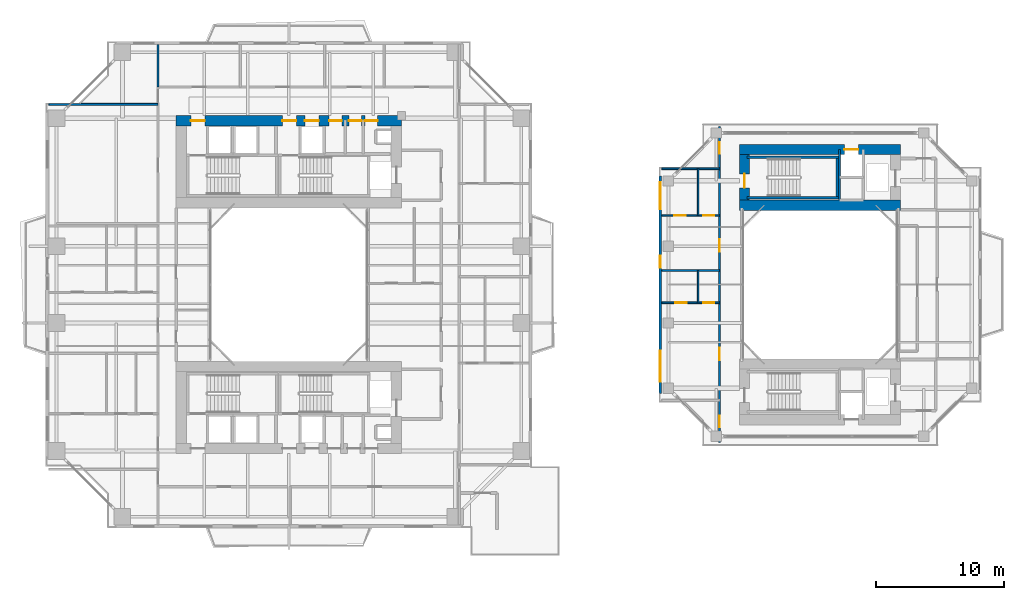
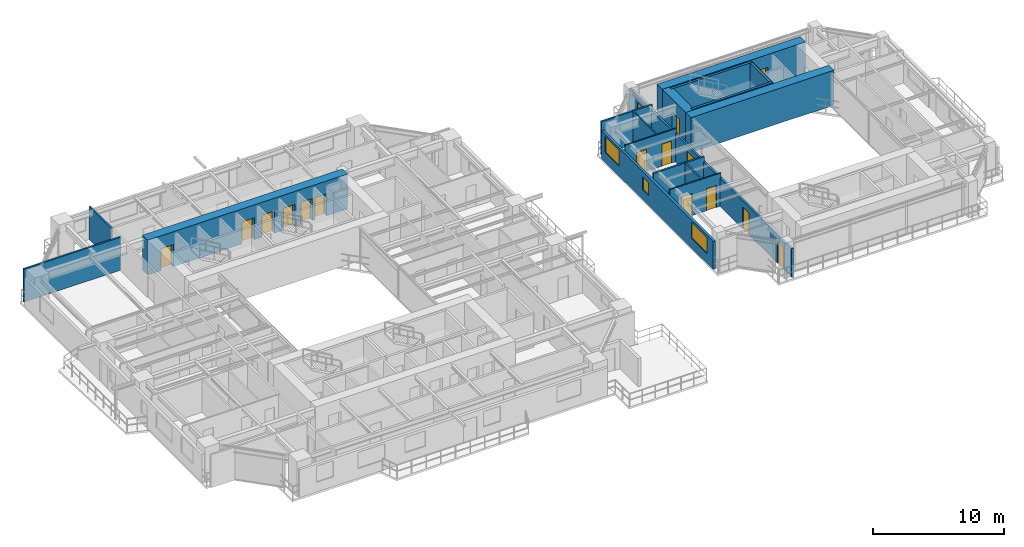
# One storey, part 17 of 23: 18 walls, 16 doors, 3 windows, 19 openings.
"""IFC4 building model written with IfcOpenShell, lengths in metres."""

from ifc_helpers import new_model, si_unit, direction, frame, frame_2d, origin, place, context, subcontext, project, spatial, rectangle, extrude, source, transform, mapped, material, layer, layer_set, type_object, element, fill, save


model = new_model("IFC4")

# Units and contexts
model_context = context("Model", 3, precision=1e-05, world=origin(), true_north=direction((0.0, 1.0)))
body_context = subcontext(model_context, "Body", "Model", "MODEL_VIEW")
ifc_project = project(units=[si_unit("LENGTHUNIT", "METRE"), si_unit("AREAUNIT", "SQUARE_METRE"), si_unit("VOLUMEUNIT", "CUBIC_METRE"), si_unit("PLANEANGLEUNIT", "RADIAN"), si_unit("MASSUNIT", "GRAM", prefix="KILO"), si_unit("THERMODYNAMICTEMPERATUREUNIT", "KELVIN"), si_unit("POWERUNIT", "WATT")], contexts=[model_context])

# Site, building, storey
site_placement = place(None, origin())
site = spatial("IfcSite", under=ifc_project, at=site_placement, CompositionType="ELEMENT")
building_placement = place(site_placement, origin())
building = spatial("IfcBuilding", under=site, at=building_placement, Name="Qiaomeng Ring Towers", CompositionType="ELEMENT")
storey_placement = place(building_placement, frame((0.0, 0.0, 73.0)))
storey = spatial("IfcBuildingStorey", under=building, at=storey_placement, Name="L20", CompositionType="ELEMENT", Elevation=73.0)

# Wall, openings, windows
ifc_material_1 = material(Name="Precast concrete C40", Category="concrete")
ifc_layer_1 = layer(ifc_material_1, 0.219970703125, Name="Precast concrete C40")
ifc_layer_set_1 = layer_set([ifc_layer_1], Name="Precast concrete C40")
wall_type_1 = type_object("IfcWallType", Name="ARC-WL-EW2", PredefinedType="STANDARD", material=ifc_layer_set_1)
wall_1_placement = place(storey_placement, frame((48.010009765625, 14.5, 0.0), z_axis=(0.0, 0.0, 1.0), x_axis=(0.0, 1.0, 0.0)))
wall_1 = element("IfcWall", 1, at=wall_1_placement, inside=storey, type_object=wall_type_1, Name="L20 Companion West Wall", PredefinedType="STANDARD", context=body_context, shape_type="SweptSolid", body=[
    extrude(rectangle(XDim=17.0, YDim=0.219970703125, at=frame_2d((8.5, 0.0))), origin(), (0.0, 0.0, 1.0), 2.610107421875),
])
opening_1_placement = place(wall_1_placement, frame((0.925048828125, 0.0, 0.89990234375)))
opening_1 = element("IfcOpeningElement", 2, at=opening_1_placement, cuts=wall_1, Name="Opening WN6", PredefinedType="OPENING", context=body_context, shape_type="SweptSolid", body=[
    extrude(rectangle(XDim=2.39990234375, YDim=1.47998046875, at=frame_2d((1.199951171875, 0.739990234375))), frame((0.0, 0.119873046875, 0.0), z_axis=(0.0, -1.0, 0.0), x_axis=(1.0, 0.0, 0.0)), (0.0, 0.0, 1.0), 0.239990234375),
])
opening_2_placement = place(wall_1_placement, frame((14.3798828125, 0.0, 0.89990234375)))
opening_2 = element("IfcOpeningElement", 3, at=opening_2_placement, cuts=wall_1, Name="Opening WN4", PredefinedType="OPENING", context=body_context, shape_type="SweptSolid", body=[
    extrude(rectangle(XDim=2.10009765625, YDim=1.5, at=frame_2d((1.050048828125, 0.75))), frame((0.0, 0.119873046875, 0.0), z_axis=(0.0, -1.0, 0.0), x_axis=(1.0, 0.0, 0.0)), (0.0, 0.0, 1.0), 0.239990234375),
])
opening_3_placement = place(wall_1_placement, frame((9.8349609375, 0.0, 0.89990234375)))
opening_3 = element("IfcOpeningElement", 4, at=opening_3_placement, cuts=wall_1, Name="Opening WN5", PredefinedType="OPENING", context=body_context, shape_type="SweptSolid", body=[
    extrude(rectangle(XDim=0.89990234375, YDim=1.199951171875, at=frame_2d((0.449951171875, 0.60009765625))), frame((0.0, 0.119873046875, 0.0), z_axis=(0.0, -1.0, 0.0), x_axis=(1.0, 0.0, 0.0)), (0.0, 0.0, 1.0), 0.239990234375),
])
ifc_material_2 = material(Name="Low-E dark-grey laminated double glazing", Category="glass")
window_type_1 = type_object("IfcWindowType", Name="ARC-WN-4", PartitioningType="TRIPLE_PANEL_VERTICAL", PredefinedType="WINDOW", material=ifc_material_2)
shared_shape_1 = source(origin(), body_context, "Body", "SweptSolid", [
    extrude(rectangle(XDim=2.10009765625, YDim=1.5, at=frame_2d((1.050048828125, 0.75))), frame((0.0, 0.030029296875, 0.0), z_axis=(0.0, -1.0, 0.0), x_axis=(1.0, 0.0, 0.0)), (0.0, 0.0, 1.0), 0.06005859375),
])
window_1_placement = place(opening_2_placement, origin())
window_1 = element("IfcWindow", 5, at=window_1_placement, inside=storey, type_object=window_type_1, Name="L20 Exterior Window WN4", OverallHeight=1.5, OverallWidth=2.10009765625, PartitioningType="TRIPLE_PANEL_VERTICAL", PredefinedType="WINDOW", context=body_context, shape_type="MappedRepresentation", body=[
    mapped(shared_shape_1, transform((0.0, 0.0, 0.0), x_axis=(1.0, 0.0, 0.0), y_axis=(0.0, 1.0, 0.0), z_axis=(0.0, 0.0, 1.0), scale=1.0)),
])
fill(opening_2, window_1)
window_type_2 = type_object("IfcWindowType", Name="ARC-WN-6", PartitioningType="TRIPLE_PANEL_VERTICAL", PredefinedType="WINDOW", material=ifc_material_2)
shared_shape_2 = source(origin(), body_context, "Body", "SweptSolid", [
    extrude(rectangle(XDim=2.39990234375, YDim=1.47998046875, at=frame_2d((1.199951171875, 0.739990234375))), frame((0.0, 0.030029296875, 0.0), z_axis=(0.0, -1.0, 0.0), x_axis=(1.0, 0.0, 0.0)), (0.0, 0.0, 1.0), 0.06005859375),
])
window_2_placement = place(opening_1_placement, origin())
window_2 = element("IfcWindow", 6, at=window_2_placement, inside=storey, type_object=window_type_2, Name="L20 Exterior Window WN6", OverallHeight=1.47998046875, OverallWidth=2.39990234375, PartitioningType="TRIPLE_PANEL_VERTICAL", PredefinedType="WINDOW", context=body_context, shape_type="MappedRepresentation", body=[
    mapped(shared_shape_2, transform((0.0, 0.0, 0.0), x_axis=(1.0, 0.0, 0.0), y_axis=(0.0, 1.0, 0.0), z_axis=(0.0, 0.0, 1.0), scale=1.0)),
])
fill(opening_1, window_2)
window_type_3 = type_object("IfcWindowType", Name="ARC-WN-5", PartitioningType="SINGLE_PANEL", PredefinedType="WINDOW", material=ifc_material_2)
shared_shape_3 = source(origin(), body_context, "Body", "SweptSolid", [
    extrude(rectangle(XDim=0.89990234375, YDim=1.199951171875, at=frame_2d((0.449951171875, 0.60009765625))), frame((0.0, 0.030029296875, 0.0), z_axis=(0.0, -1.0, 0.0), x_axis=(1.0, 0.0, 0.0)), (0.0, 0.0, 1.0), 0.06005859375),
])
window_3_placement = place(opening_3_placement, origin())
window_3 = element("IfcWindow", 7, at=window_3_placement, inside=storey, type_object=window_type_3, Name="L20 Exterior Window WN5", OverallHeight=1.199951171875, OverallWidth=0.89990234375, PartitioningType="SINGLE_PANEL", PredefinedType="WINDOW", context=body_context, shape_type="MappedRepresentation", body=[
    mapped(shared_shape_3, transform((0.0, 0.0, 0.0), x_axis=(1.0, 0.0, 0.0), y_axis=(0.0, 1.0, 0.0), z_axis=(0.0, 0.0, 1.0), scale=1.0)),
])
fill(opening_3, window_3)

# Wall, openings, doors
ifc_material_3 = material(Name="Autoclaved aerated concrete block", Category="concrete")
ifc_layer_2 = layer(ifc_material_3, 0.179931640625, Name="Autoclaved aerated concrete block")
ifc_layer_set_2 = layer_set([ifc_layer_2], Name="Autoclaved aerated concrete block")
wall_type_2 = type_object("IfcWallType", Name="ARC-WL-PW2", PredefinedType="PARTITIONING", material=ifc_layer_set_2)
wall_2_placement = place(storey_placement, frame((52.64990234375, 10.64990234375, 0.0), z_axis=(0.0, 0.0, 1.0), x_axis=(0.0, 1.0, 0.0)))
wall_2 = element("IfcWall", 8, at=wall_2_placement, inside=storey, type_object=wall_type_2, Name="L20 Interior Wall PW2", PredefinedType="PARTITIONING", context=body_context, shape_type="SweptSolid", body=[
    extrude(rectangle(XDim=24.7001953125, YDim=0.179931640625, at=frame_2d((12.35009765625, 0.0))), origin(), (0.0, 0.0, 1.0), 2.614990234375),
])
opening_4_placement = place(wall_2_placement, frame((22.580078125, 0.0, 0.0)))
opening_4 = element("IfcOpeningElement", 9, at=opening_4_placement, cuts=wall_2, Name="Opening ID1", PredefinedType="OPENING", context=body_context, shape_type="SweptSolid", body=[
    extrude(rectangle(XDim=0.89990234375, YDim=2.050048828125, at=frame_2d((0.449951171875, 1.02490234375))), frame((0.0, 0.099853515625, 0.0), z_axis=(0.0, -1.0, 0.0), x_axis=(1.0, 0.0, 0.0)), (0.0, 0.0, 1.0), 0.199951171875),
])
opening_5_placement = place(wall_2_placement, frame((1.219970703125, 0.0, 0.0)))
opening_5 = element("IfcOpeningElement", 10, at=opening_5_placement, cuts=wall_2, Name="Opening ID1", PredefinedType="OPENING", context=body_context, shape_type="SweptSolid", body=[
    extrude(rectangle(XDim=0.89990234375, YDim=2.050048828125, at=frame_2d((0.449951171875, 1.02490234375))), frame((0.0, 0.099853515625, 0.0), z_axis=(0.0, -1.0, 0.0), x_axis=(1.0, 0.0, 0.0)), (0.0, 0.0, 1.0), 0.199951171875),
])
opening_6_placement = place(wall_2_placement, frame((6.425048828125, 0.0, 0.0)))
opening_6 = element("IfcOpeningElement", 11, at=opening_6_placement, cuts=wall_2, Name="Opening FD4", PredefinedType="OPENING", context=body_context, shape_type="SweptSolid", body=[
    extrude(rectangle(XDim=1.0, YDim=2.050048828125, at=frame_2d((0.5, 1.02490234375))), frame((0.0, 0.099853515625, 0.0), z_axis=(0.0, -1.0, 0.0), x_axis=(1.0, 0.0, 0.0)), (0.0, 0.0, 1.0), 0.199951171875),
])
opening_7_placement = place(wall_2_placement, frame((14.905029296875, 0.0, 0.0)))
opening_7 = element("IfcOpeningElement", 12, at=opening_7_placement, cuts=wall_2, Name="Opening FD4", PredefinedType="OPENING", context=body_context, shape_type="SweptSolid", body=[
    extrude(rectangle(XDim=1.0, YDim=2.050048828125, at=frame_2d((0.5, 1.02490234375))), frame((0.0, 0.099853515625, 0.0), z_axis=(0.0, -1.0, 0.0), x_axis=(1.0, 0.0, 0.0)), (0.0, 0.0, 1.0), 0.199951171875),
])
ifc_material_4 = material(Name="Engineered fire-rated oak timber", Category="wood")
door_type_1 = type_object("IfcDoorType", Name="ARC-DR-FD4", OperationType="NOTDEFINED", PredefinedType="DOOR", material=ifc_material_4)
shared_shape_4 = source(origin(), body_context, "Body", "SweptSolid", [
    extrude(rectangle(XDim=1.0, YDim=2.050048828125, at=frame_2d((0.5, 1.02490234375))), frame((0.0, 0.02490234375, 0.0), z_axis=(0.0, -1.0, 0.0), x_axis=(1.0, 0.0, 0.0)), (0.0, 0.0, 1.0), 0.050048828125),
])
door_1_placement = place(opening_6_placement, origin())
door_1 = element("IfcDoor", 13, at=door_1_placement, inside=storey, type_object=door_type_1, Name="L20 Door FD4", OperationType="SINGLE_SWING_LEFT", OverallHeight=2.050048828125, OverallWidth=1.0, PredefinedType="DOOR", context=body_context, shape_type="MappedRepresentation", body=[
    mapped(shared_shape_4, transform((0.0, 0.0, 0.0), x_axis=(1.0, 0.0, 0.0), y_axis=(0.0, 1.0, 0.0), z_axis=(0.0, 0.0, 1.0), scale=1.0)),
])
fill(opening_6, door_1)
door_2_placement = place(opening_7_placement, origin())
door_2 = element("IfcDoor", 14, at=door_2_placement, inside=storey, type_object=door_type_1, Name="L20 Door FD4", OperationType="SINGLE_SWING_RIGHT", OverallHeight=2.050048828125, OverallWidth=1.0, PredefinedType="DOOR", context=body_context, shape_type="MappedRepresentation", body=[
    mapped(shared_shape_4, transform((0.0, 0.0, 0.0), x_axis=(1.0, 0.0, 0.0), y_axis=(0.0, 1.0, 0.0), z_axis=(0.0, 0.0, 1.0), scale=1.0)),
])
fill(opening_7, door_2)
ifc_material_5 = material(Name="Engineered oak timber", Category="wood")
door_type_2 = type_object("IfcDoorType", Name="ARC-DR-ID1", OperationType="NOTDEFINED", PredefinedType="DOOR", material=ifc_material_5)
shared_shape_5 = source(origin(), body_context, "Body", "SweptSolid", [
    extrude(rectangle(XDim=0.89990234375, YDim=2.050048828125, at=frame_2d((0.449951171875, 1.02490234375))), frame((0.0, 0.02490234375, 0.0), z_axis=(0.0, -1.0, 0.0), x_axis=(1.0, 0.0, 0.0)), (0.0, 0.0, 1.0), 0.050048828125),
])
door_3_placement = place(opening_4_placement, origin())
door_3 = element("IfcDoor", 15, at=door_3_placement, inside=storey, type_object=door_type_2, Name="L20 Door ID1", OperationType="SINGLE_SWING_LEFT", OverallHeight=2.050048828125, OverallWidth=0.89990234375, PredefinedType="DOOR", context=body_context, shape_type="MappedRepresentation", body=[
    mapped(shared_shape_5, transform((0.0, 0.0, 0.0), x_axis=(1.0, 0.0, 0.0), y_axis=(0.0, 1.0, 0.0), z_axis=(0.0, 0.0, 1.0), scale=1.0)),
])
fill(opening_4, door_3)
door_4_placement = place(opening_5_placement, origin())
door_4 = element("IfcDoor", 16, at=door_4_placement, inside=storey, type_object=door_type_2, Name="L20 Door ID1", OperationType="SINGLE_SWING_RIGHT", OverallHeight=2.050048828125, OverallWidth=0.89990234375, PredefinedType="DOOR", context=body_context, shape_type="MappedRepresentation", body=[
    mapped(shared_shape_5, transform((0.0, 0.0, 0.0), x_axis=(1.0, 0.0, 0.0), y_axis=(0.0, 1.0, 0.0), z_axis=(0.0, 0.0, 1.0), scale=1.0)),
])
fill(opening_5, door_4)

# Walls
ifc_material_6 = material(Name="Gypsum fireboard steel-stud partition", Category="steel")
ifc_layer_3 = layer(ifc_material_6, 0.14990234375, Name="Gypsum fireboard steel-stud partition")
ifc_layer_set_3 = layer_set([ifc_layer_3], Name="Gypsum fireboard steel-stud partition")
wall_type_3 = type_object("IfcWallType", Name="ARC-WL-PW3", PredefinedType="PARTITIONING", material=ifc_layer_set_3)
wall_3_placement = place(storey_placement, frame((8.780029296875, 38.43994140625, 0.0), z_axis=(0.0, 0.0, 1.0), x_axis=(0.0, 1.0, 0.0)))
element("IfcWall", 17, at=wall_3_placement, inside=storey, type_object=wall_type_3, Name="L20 Interior Wall PW3", PredefinedType="PARTITIONING", context=body_context, shape_type="SweptSolid", body=[
    extrude(rectangle(XDim=3.31005859375, YDim=0.14990234375, at=frame_2d((1.655029296875, 0.0))), origin(), (0.0, 0.0, 1.0), 3.070068359375),
])
wall_4_placement = place(storey_placement, frame((0.25, 37.080078125, 0.0), z_axis=(0.0, 0.0, 1.0), x_axis=(1.0, 0.0, 0.0)))
element("IfcWall", 18, at=wall_4_placement, inside=storey, type_object=wall_type_3, Name="L20 Interior Wall PW3", PredefinedType="PARTITIONING", context=body_context, shape_type="SweptSolid", body=[
    extrude(rectangle(XDim=8.530029296875, YDim=0.14990234375, at=frame_2d((4.26513671875, 0.0))), origin(), (0.0, 0.0, 1.0), 3.070068359375),
])
for number, where, z_axis, x_axis, name in (
    (19, (48.14990234375, 32.050048828125, 0.0), (0.0, 0.0, 1.0), (1.0, 0.0, 0.0), "L20 Interior Wall PW3"),
    (20, (48.14990234375, 24.10009765625, 0.0), (0.0, 0.0, 1.0), (1.0, 0.0, 0.0), "L20 Interior Wall PW3"),
):
    element("IfcWall", number, at=place(storey_placement, frame(where, z_axis=z_axis, x_axis=x_axis)), inside=storey, type_object=wall_type_3, Name=name, PredefinedType="PARTITIONING", context=body_context, shape_type="SweptSolid", body=[
        extrude(rectangle(XDim=4.5, YDim=0.14990234375, at=frame_2d((2.25, 0.0))), origin(), (0.0, 0.0, 1.0), 3.070068359375),
    ])

# Wall, openings, doors
ifc_material_7 = material(Name="Moisture-resistant gypsum steel-stud partition", Category="steel")
ifc_layer_4 = layer(ifc_material_7, 0.1201171875, Name="Moisture-resistant gypsum steel-stud partition")
ifc_layer_set_4 = layer_set([ifc_layer_4], Name="Moisture-resistant gypsum steel-stud partition")
wall_type_4 = type_object("IfcWallType", Name="ARC-WL-PW4", PredefinedType="PLUMBINGWALL", material=ifc_layer_set_4)
wall_5_placement = place(storey_placement, frame((48.14990234375, 21.580078125, 0.0), z_axis=(0.0, 0.0, 1.0), x_axis=(1.0, 0.0, 0.0)))
wall_5 = element("IfcWall", 21, at=wall_5_placement, inside=storey, type_object=wall_type_4, Name="L20 Interior Wall PW4", PredefinedType="PLUMBINGWALL", context=body_context, shape_type="SweptSolid", body=[
    extrude(rectangle(XDim=4.5, YDim=0.1201171875, at=frame_2d((2.25, 0.0))), origin(), (0.0, 0.0, 1.0), 3.070068359375),
])
opening_8_placement = place(wall_5_placement, frame((1.035888671875, 0.0, 0.0)))
opening_8 = element("IfcOpeningElement", 22, at=opening_8_placement, cuts=wall_5, Name="Opening ID1", PredefinedType="OPENING", context=body_context, shape_type="SweptSolid", body=[
    extrude(rectangle(XDim=0.89990234375, YDim=2.050048828125, at=frame_2d((0.449951171875, 1.02490234375))), frame((0.0, 0.070068359375, 0.0), z_axis=(0.0, -1.0, 0.0), x_axis=(1.0, 0.0, 0.0)), (0.0, 0.0, 1.0), 0.14013671875),
])
opening_9_placement = place(wall_5_placement, frame((3.22998046875, 0.0, 0.0)))
opening_9 = element("IfcOpeningElement", 23, at=opening_9_placement, cuts=wall_5, Name="Opening ID2", PredefinedType="OPENING", context=body_context, shape_type="SweptSolid", body=[
    extrude(rectangle(XDim=0.85009765625, YDim=2.050048828125, at=frame_2d((0.425048828125, 1.02490234375))), frame((0.0, 0.070068359375, 0.0), z_axis=(0.0, -1.0, 0.0), x_axis=(1.0, 0.0, 0.0)), (0.0, 0.0, 1.0), 0.14013671875),
])
ifc_material_8 = material(Name="Moisture-resistant engineered timber", Category="wood")
door_type_3 = type_object("IfcDoorType", Name="ARC-DR-ID2", OperationType="NOTDEFINED", PredefinedType="DOOR", material=ifc_material_8)
shared_shape_6 = source(origin(), body_context, "Body", "SweptSolid", [
    extrude(rectangle(XDim=0.85009765625, YDim=2.050048828125, at=frame_2d((0.425048828125, 1.02490234375))), frame((0.0, 0.02490234375, 0.0), z_axis=(0.0, -1.0, 0.0), x_axis=(1.0, 0.0, 0.0)), (0.0, 0.0, 1.0), 0.050048828125),
])
door_5_placement = place(opening_9_placement, origin())
door_5 = element("IfcDoor", 24, at=door_5_placement, inside=storey, type_object=door_type_3, Name="L20 Door ID2", OperationType="SINGLE_SWING_RIGHT", OverallHeight=2.050048828125, OverallWidth=0.85009765625, PredefinedType="DOOR", context=body_context, shape_type="MappedRepresentation", body=[
    mapped(shared_shape_6, transform((0.0, 0.0, 0.0), x_axis=(1.0, 0.0, 0.0), y_axis=(0.0, 1.0, 0.0), z_axis=(0.0, 0.0, 1.0), scale=1.0)),
])
fill(opening_9, door_5)
door_6_placement = place(opening_8_placement, origin())
door_6 = element("IfcDoor", 25, at=door_6_placement, inside=storey, type_object=door_type_2, Name="L20 Door ID1", OperationType="SINGLE_SWING_LEFT", OverallHeight=2.050048828125, OverallWidth=0.89990234375, PredefinedType="DOOR", context=body_context, shape_type="MappedRepresentation", body=[
    mapped(shared_shape_5, transform((0.0, 0.0, 0.0), x_axis=(1.0, 0.0, 0.0), y_axis=(0.0, 1.0, 0.0), z_axis=(0.0, 0.0, 1.0), scale=1.0)),
])
fill(opening_8, door_6)

# Wall
wall_6_placement = place(storey_placement, frame((50.97998046875, 21.580078125, 0.0), z_axis=(0.0, 0.0, 1.0), x_axis=(0.0, 1.0, 0.0)))
element("IfcWall", 26, at=wall_6_placement, inside=storey, type_object=wall_type_4, Name="L20 Interior Wall PW4", PredefinedType="PLUMBINGWALL", context=body_context, shape_type="SweptSolid", body=[
    extrude(rectangle(XDim=2.52001953125, YDim=0.1201171875, at=frame_2d((1.260009765625, 0.0))), origin(), (0.0, 0.0, 1.0), 3.070068359375),
])

# Wall, openings, doors
wall_7_placement = place(storey_placement, frame((48.14990234375, 28.389892578125, 0.0), z_axis=(0.0, 0.0, 1.0), x_axis=(1.0, 0.0, 0.0)))
wall_7 = element("IfcWall", 27, at=wall_7_placement, inside=storey, type_object=wall_type_4, Name="L20 Interior Wall PW4", PredefinedType="PLUMBINGWALL", context=body_context, shape_type="SweptSolid", body=[
    extrude(rectangle(XDim=4.5, YDim=0.1201171875, at=frame_2d((2.25, 0.0))), origin(), (0.0, 0.0, 1.0), 3.070068359375),
])
opening_10_placement = place(wall_7_placement, frame((0.97509765625, 0.0, 0.0)))
opening_10 = element("IfcOpeningElement", 28, at=opening_10_placement, cuts=wall_7, Name="Opening ID1", PredefinedType="OPENING", context=body_context, shape_type="SweptSolid", body=[
    extrude(rectangle(XDim=0.89990234375, YDim=2.050048828125, at=frame_2d((0.449951171875, 1.02490234375))), frame((0.0, 0.070068359375, 0.0), z_axis=(0.0, -1.0, 0.0), x_axis=(1.0, 0.0, 0.0)), (0.0, 0.0, 1.0), 0.14013671875),
])
opening_11_placement = place(wall_7_placement, frame((3.22998046875, 0.0, 0.0)))
opening_11 = element("IfcOpeningElement", 29, at=opening_11_placement, cuts=wall_7, Name="Opening ID2", PredefinedType="OPENING", context=body_context, shape_type="SweptSolid", body=[
    extrude(rectangle(XDim=0.85009765625, YDim=2.050048828125, at=frame_2d((0.425048828125, 1.02490234375))), frame((0.0, 0.070068359375, 0.0), z_axis=(0.0, -1.0, 0.0), x_axis=(1.0, 0.0, 0.0)), (0.0, 0.0, 1.0), 0.14013671875),
])
door_7_placement = place(opening_11_placement, origin())
door_7 = element("IfcDoor", 30, at=door_7_placement, inside=storey, type_object=door_type_3, Name="L20 Door ID2", OperationType="SINGLE_SWING_RIGHT", OverallHeight=2.050048828125, OverallWidth=0.85009765625, PredefinedType="DOOR", context=body_context, shape_type="MappedRepresentation", body=[
    mapped(shared_shape_6, transform((0.0, 0.0, 0.0), x_axis=(1.0, 0.0, 0.0), y_axis=(0.0, 1.0, 0.0), z_axis=(0.0, 0.0, 1.0), scale=1.0)),
])
fill(opening_11, door_7)
door_8_placement = place(opening_10_placement, origin())
door_8 = element("IfcDoor", 31, at=door_8_placement, inside=storey, type_object=door_type_2, Name="L20 Door ID1", OperationType="SINGLE_SWING_LEFT", OverallHeight=2.050048828125, OverallWidth=0.89990234375, PredefinedType="DOOR", context=body_context, shape_type="MappedRepresentation", body=[
    mapped(shared_shape_5, transform((0.0, 0.0, 0.0), x_axis=(1.0, 0.0, 0.0), y_axis=(0.0, 1.0, 0.0), z_axis=(0.0, 0.0, 1.0), scale=1.0)),
])
fill(opening_10, door_8)

# Walls
wall_8_placement = place(storey_placement, frame((50.97998046875, 28.389892578125, 0.0), z_axis=(0.0, 0.0, 1.0), x_axis=(0.0, 1.0, 0.0)))
element("IfcWall", 32, at=wall_8_placement, inside=storey, type_object=wall_type_4, Name="L20 Interior Wall PW4", PredefinedType="PLUMBINGWALL", context=body_context, shape_type="SweptSolid", body=[
    extrude(rectangle(XDim=3.66015625, YDim=0.1201171875, at=frame_2d((1.830078125, 0.0))), origin(), (0.0, 0.0, 1.0), 3.070068359375),
])
ifc_material_9 = material(Name="Concrete C40", Category="concrete")
ifc_layer_5 = layer(ifc_material_9, 0.199951171875, Name="Concrete C40")
ifc_layer_set_5 = layer_set([ifc_layer_5], Name="Concrete C40")
wall_type_5 = type_object("IfcWallType", Name="STR-WL-STSHAFT", PredefinedType="SHEAR", material=ifc_layer_set_5)
wall_9_placement = place(storey_placement, frame((62.02001953125, 29.60009765625, 0.0), z_axis=(0.0, 0.0, 1.0), x_axis=(0.0, 1.0, 0.0)))
element("IfcWall", 33, at=wall_9_placement, inside=storey, type_object=wall_type_5, Name="L20 Companion Lift Shaft West Wall N", PredefinedType="SHEAR", context=body_context, shape_type="SweptSolid", body=[
    extrude(rectangle(XDim=3.949951171875, YDim=0.179931640625, at=frame_2d((1.97509765625, 0.0))), origin(), (0.0, 0.0, 1.0), 3.070068359375),
])
for number, where, z_axis, x_axis, name in (
    (34, (54.800048828125, 29.800048828125, 0.0), (0.0, 0.0, 1.0), (1.0, 0.0, 0.0), "L20 Stair ST5 South Shaft Shear Wall"),
    (35, (54.800048828125, 32.93994140625, 0.0), (0.0, 0.0, 1.0), (1.0, 0.0, 0.0), "L20 Stair ST5 North Shaft Shear Wall"),
):
    element("IfcWall", number, at=place(storey_placement, frame(where, z_axis=z_axis, x_axis=x_axis)), inside=storey, type_object=wall_type_5, Name=name, PredefinedType="SHEAR", context=body_context, shape_type="SweptSolid", body=[
        extrude(rectangle(XDim=7.14990234375, YDim=0.199951171875, at=frame_2d((3.574951171875, 0.0))), origin(), (0.0, 0.0, 1.0), 3.25),
    ])
wall_10_placement = place(storey_placement, frame((61.85009765625, 29.89990234375, 0.0), z_axis=(0.0, 0.0, 1.0), x_axis=(0.0, 1.0, 0.0)))
element("IfcWall", 36, at=wall_10_placement, inside=storey, type_object=wall_type_5, Name="L20 Stair ST5 East Shaft Shear Wall", PredefinedType="SHEAR", context=body_context, shape_type="SweptSolid", body=[
    extrude(rectangle(XDim=2.940185546875, YDim=0.199951171875, at=frame_2d((1.47021484375, 0.0))), origin(), (0.0, 0.0, 1.0), 3.25),
])

# Wall, openings, doors
ifc_material_10 = material(Name="Concrete C60", Category="concrete")
ifc_layer_6 = layer(ifc_material_10, 0.800048828125, Name="Concrete C60")
ifc_layer_set_6 = layer_set([ifc_layer_6], Name="Concrete C60")
wall_type_6 = type_object("IfcWallType", Name="STR-WL-SW1", PredefinedType="SHEAR", material=ifc_layer_set_6)
wall_11_placement = place(storey_placement, frame((10.199951171875, 35.800048828125, 0.0), z_axis=(0.0, 0.0, 1.0), x_axis=(1.0, 0.0, 0.0)))
wall_11 = element("IfcWall", 37, at=wall_11_placement, inside=storey, type_object=wall_type_6, Name="L20 T1NC north core shear wall", PredefinedType="SHEAR", context=body_context, shape_type="SweptSolid", body=[
    extrude(rectangle(XDim=17.60009765625, YDim=0.800048828125, at=frame_2d((8.800048828125, 0.0))), origin(), (0.0, 0.0, 1.0), 3.25),
])
opening_12_placement = place(wall_11_placement, frame((1.14990234375, 0.0, 0.0)))
opening_12 = element("IfcOpeningElement", 38, at=opening_12_placement, cuts=wall_11, Name="Opening FD3", PredefinedType="OPENING", context=body_context, shape_type="SweptSolid", body=[
    extrude(rectangle(XDim=1.10009765625, YDim=2.050048828125, at=frame_2d((0.550048828125, 1.02490234375))), frame((0.0, 0.409912109375, 0.0), z_axis=(0.0, -1.0, 0.0), x_axis=(1.0, 0.0, 0.0)), (0.0, 0.0, 1.0), 0.820068359375),
])
opening_13_placement = place(wall_11_placement, frame((8.300048828125, 0.0, 0.0)))
opening_13 = element("IfcOpeningElement", 39, at=opening_13_placement, cuts=wall_11, Name="Opening FD3", PredefinedType="OPENING", context=body_context, shape_type="SweptSolid", body=[
    extrude(rectangle(XDim=1.10009765625, YDim=2.050048828125, at=frame_2d((0.550048828125, 1.02490234375))), frame((0.0, 0.409912109375, 0.0), z_axis=(0.0, -1.0, 0.0), x_axis=(1.0, 0.0, 0.0)), (0.0, 0.0, 1.0), 0.820068359375),
])
opening_14_placement = place(wall_11_placement, frame((10.050048828125, 0.0, 0.0)))
opening_14 = element("IfcOpeningElement", 40, at=opening_14_placement, cuts=wall_11, Name="Opening LD1", PredefinedType="OPENING", context=body_context, shape_type="SweptSolid", body=[
    extrude(rectangle(XDim=1.10009765625, YDim=2.050048828125, at=frame_2d((0.550048828125, 1.02490234375))), frame((0.0, 0.409912109375, 0.0), z_axis=(0.0, -1.0, 0.0), x_axis=(1.0, 0.0, 0.0)), (0.0, 0.0, 1.0), 0.820068359375),
])
opening_15_placement = place(wall_11_placement, frame((14.739990234375, 0.0, 0.0)))
opening_15 = element("IfcOpeningElement", 41, at=opening_15_placement, cuts=wall_11, Name="Opening FD1", PredefinedType="OPENING", context=body_context, shape_type="SweptSolid", body=[
    extrude(rectangle(XDim=1.0, YDim=2.050048828125, at=frame_2d((0.5, 1.02490234375))), frame((0.0, 0.409912109375, 0.0), z_axis=(0.0, -1.0, 0.0), x_axis=(1.0, 0.0, 0.0)), (0.0, 0.0, 1.0), 0.820068359375),
])
opening_16_placement = place(wall_11_placement, frame((11.949951171875, 0.0, 0.0)))
opening_16 = element("IfcOpeningElement", 42, at=opening_16_placement, cuts=wall_11, Name="Opening FD1", PredefinedType="OPENING", context=body_context, shape_type="SweptSolid", body=[
    extrude(rectangle(XDim=1.0, YDim=2.050048828125, at=frame_2d((0.5, 1.02490234375))), frame((0.0, 0.409912109375, 0.0), z_axis=(0.0, -1.0, 0.0), x_axis=(1.0, 0.0, 0.0)), (0.0, 0.0, 1.0), 0.820068359375),
])
opening_17_placement = place(wall_11_placement, frame((13.485107421875, 0.0, 0.0)))
opening_17 = element("IfcOpeningElement", 43, at=opening_17_placement, cuts=wall_11, Name="Opening FD1", PredefinedType="OPENING", context=body_context, shape_type="SweptSolid", body=[
    extrude(rectangle(XDim=1.0, YDim=2.050048828125, at=frame_2d((0.5, 1.02490234375))), frame((0.0, 0.409912109375, 0.0), z_axis=(0.0, -1.0, 0.0), x_axis=(1.0, 0.0, 0.0)), (0.0, 0.0, 1.0), 0.820068359375),
])
ifc_material_11 = material(Name="Galvanised steel", Category="steel")
door_type_4 = type_object("IfcDoorType", Name="ARC-DR-FD3", OperationType="NOTDEFINED", PredefinedType="DOOR", material=ifc_material_11)
shared_shape_7 = source(origin(), body_context, "Body", "SweptSolid", [
    extrude(rectangle(XDim=1.10009765625, YDim=2.050048828125, at=frame_2d((0.550048828125, 1.02490234375))), frame((0.0, 0.02490234375, 0.0), z_axis=(0.0, -1.0, 0.0), x_axis=(1.0, 0.0, 0.0)), (0.0, 0.0, 1.0), 0.050048828125),
])
door_9_placement = place(opening_12_placement, origin())
door_9 = element("IfcDoor", 44, at=door_9_placement, inside=storey, type_object=door_type_4, Name="L20 Stair ST1 Lobby Door", OperationType="SINGLE_SWING_LEFT", OverallHeight=2.050048828125, OverallWidth=1.10009765625, PredefinedType="DOOR", context=body_context, shape_type="MappedRepresentation", body=[
    mapped(shared_shape_7, transform((0.0, 0.0, 0.0), x_axis=(1.0, 0.0, 0.0), y_axis=(0.0, 1.0, 0.0), z_axis=(0.0, 0.0, 1.0), scale=1.0)),
])
fill(opening_12, door_9)
door_10_placement = place(opening_13_placement, origin())
door_10 = element("IfcDoor", 45, at=door_10_placement, inside=storey, type_object=door_type_4, Name="L20 Stair ST2 Lobby Door", OperationType="SINGLE_SWING_LEFT", OverallHeight=2.050048828125, OverallWidth=1.10009765625, PredefinedType="DOOR", context=body_context, shape_type="MappedRepresentation", body=[
    mapped(shared_shape_7, transform((0.0, 0.0, 0.0), x_axis=(1.0, 0.0, 0.0), y_axis=(0.0, 1.0, 0.0), z_axis=(0.0, 0.0, 1.0), scale=1.0)),
])
fill(opening_13, door_10)
ifc_material_12 = material(Name="Stainless steel 316", Category="steel")
door_type_5 = type_object("IfcDoorType", Name="ARC-DR-LD1", OperationType="NOTDEFINED", PredefinedType="DOOR", material=ifc_material_12)
door_11_placement = place(opening_14_placement, origin())
door_11 = element("IfcDoor", 46, at=door_11_placement, inside=storey, type_object=door_type_5, Name="L20 Low-Zone Lift LP1 Landing Door", OperationType="SLIDING_TO_LEFT", OverallHeight=2.050048828125, OverallWidth=1.10009765625, PredefinedType="DOOR", context=body_context, shape_type="MappedRepresentation", body=[
    mapped(shared_shape_7, transform((0.0, 0.0, 0.0), x_axis=(1.0, 0.0, 0.0), y_axis=(0.0, 1.0, 0.0), z_axis=(0.0, 0.0, 1.0), scale=1.0)),
])
fill(opening_14, door_11)
door_type_6 = type_object("IfcDoorType", Name="ARC-DR-FD1", OperationType="NOTDEFINED", PredefinedType="DOOR", material=ifc_material_11)
door_12_placement = place(opening_15_placement, origin())
door_12 = element("IfcDoor", 47, at=door_12_placement, inside=storey, type_object=door_type_6, Name="L20 North Electrical Riser Door", OperationType="SINGLE_SWING_LEFT", OverallHeight=2.050048828125, OverallWidth=1.0, PredefinedType="DOOR", context=body_context, shape_type="MappedRepresentation", body=[
    mapped(shared_shape_4, transform((0.0, 0.0, 0.0), x_axis=(1.0, 0.0, 0.0), y_axis=(0.0, 1.0, 0.0), z_axis=(0.0, 0.0, 1.0), scale=1.0)),
])
fill(opening_15, door_12)
door_13_placement = place(opening_16_placement, origin())
door_13 = element("IfcDoor", 48, at=door_13_placement, inside=storey, type_object=door_type_6, Name="L20 North Tea Pantry Door", OperationType="SINGLE_SWING_LEFT", OverallHeight=2.050048828125, OverallWidth=1.0, PredefinedType="DOOR", context=body_context, shape_type="MappedRepresentation", body=[
    mapped(shared_shape_4, transform((0.0, 0.0, 0.0), x_axis=(1.0, 0.0, 0.0), y_axis=(0.0, 1.0, 0.0), z_axis=(0.0, 0.0, 1.0), scale=1.0)),
])
fill(opening_16, door_13)
door_14_placement = place(opening_17_placement, origin())
door_14 = element("IfcDoor", 49, at=door_14_placement, inside=storey, type_object=door_type_6, Name="L20 North Cleaners Cupboard Door", OperationType="SINGLE_SWING_RIGHT", OverallHeight=2.050048828125, OverallWidth=1.0, PredefinedType="DOOR", context=body_context, shape_type="MappedRepresentation", body=[
    mapped(shared_shape_4, transform((0.0, 0.0, 0.0), x_axis=(1.0, 0.0, 0.0), y_axis=(0.0, 1.0, 0.0), z_axis=(0.0, 0.0, 1.0), scale=1.0)),
])
fill(opening_17, door_14)

# Wall
wall_12_placement = place(storey_placement, frame((54.199951171875, 29.199951171875, 0.0), z_axis=(0.0, 0.0, 1.0), x_axis=(1.0, 0.0, 0.0)))
element("IfcWall", 50, at=wall_12_placement, inside=storey, type_object=wall_type_6, Name="L20 T2NC south core shear wall", PredefinedType="SHEAR", context=body_context, shape_type="SweptSolid", body=[
    extrude(rectangle(XDim=12.60009765625, YDim=0.800048828125, at=frame_2d((6.300048828125, 0.0))), origin(), (0.0, 0.0, 1.0), 3.25),
])

# Wall, opening, door
wall_13_placement = place(storey_placement, frame((54.199951171875, 33.550048828125, 0.0), z_axis=(0.0, 0.0, 1.0), x_axis=(1.0, 0.0, 0.0)))
wall_13 = element("IfcWall", 51, at=wall_13_placement, inside=storey, type_object=wall_type_6, Name="L20 T2NC north core shear wall", PredefinedType="SHEAR", context=body_context, shape_type="SweptSolid", body=[
    extrude(rectangle(XDim=12.60009765625, YDim=0.800048828125, at=frame_2d((6.300048828125, 0.0))), origin(), (0.0, 0.0, 1.0), 3.25),
])
opening_18_placement = place(wall_13_placement, frame((8.199951171875, 0.0, 0.0)))
opening_18 = element("IfcOpeningElement", 52, at=opening_18_placement, cuts=wall_13, Name="Opening LD1", PredefinedType="OPENING", context=body_context, shape_type="SweptSolid", body=[
    extrude(rectangle(XDim=1.10009765625, YDim=2.050048828125, at=frame_2d((0.550048828125, 1.02490234375))), frame((0.0, 0.409912109375, 0.0), z_axis=(0.0, -1.0, 0.0), x_axis=(1.0, 0.0, 0.0)), (0.0, 0.0, 1.0), 0.820068359375),
])
door_15_placement = place(opening_18_placement, origin())
door_15 = element("IfcDoor", 53, at=door_15_placement, inside=storey, type_object=door_type_5, Name="L20 Companion Lift LP7 Landing Door", OperationType="SLIDING_TO_LEFT", OverallHeight=2.050048828125, OverallWidth=1.10009765625, PredefinedType="DOOR", context=body_context, shape_type="MappedRepresentation", body=[
    mapped(shared_shape_7, transform((0.0, 0.0, 0.0), x_axis=(1.0, 0.0, 0.0), y_axis=(0.0, 1.0, 0.0), z_axis=(0.0, 0.0, 1.0), scale=1.0)),
])
fill(opening_18, door_15)

wall_14_placement = place(storey_placement, frame((54.60009765625, 29.60009765625, 0.0), z_axis=(0.0, 0.0, 1.0), x_axis=(0.0, 1.0, 0.0)))
wall_14 = element("IfcWall", 54, at=wall_14_placement, inside=storey, type_object=wall_type_6, Name="L20 T2NC west core shear wall", PredefinedType="SHEAR", context=body_context, shape_type="SweptSolid", body=[
    extrude(rectangle(XDim=3.5498046875, YDim=0.800048828125, at=frame_2d((1.77490234375, 0.0))), origin(), (0.0, 0.0, 1.0), 3.25),
])
opening_19_placement = place(wall_14_placement, frame((0.949951171875, 0.0, 0.0)))
opening_19 = element("IfcOpeningElement", 55, at=opening_19_placement, cuts=wall_14, Name="Opening FD3", PredefinedType="OPENING", context=body_context, shape_type="SweptSolid", body=[
    extrude(rectangle(XDim=1.10009765625, YDim=2.050048828125, at=frame_2d((0.550048828125, 1.02490234375))), frame((0.0, 0.409912109375, 0.0), z_axis=(0.0, -1.0, 0.0), x_axis=(1.0, 0.0, 0.0)), (0.0, 0.0, 1.0), 0.820068359375),
])
door_16_placement = place(opening_19_placement, origin())
door_16 = element("IfcDoor", 56, at=door_16_placement, inside=storey, type_object=door_type_4, Name="L20 Stair ST5 Exit Door", OperationType="SINGLE_SWING_RIGHT", OverallHeight=2.050048828125, OverallWidth=1.10009765625, PredefinedType="DOOR", context=body_context, shape_type="MappedRepresentation", body=[
    mapped(shared_shape_7, transform((0.0, 0.0, 0.0), x_axis=(1.0, 0.0, 0.0), y_axis=(0.0, 1.0, 0.0), z_axis=(0.0, 0.0, 1.0), scale=1.0)),
])
fill(opening_19, door_16)

save(model, "model.ifc")
